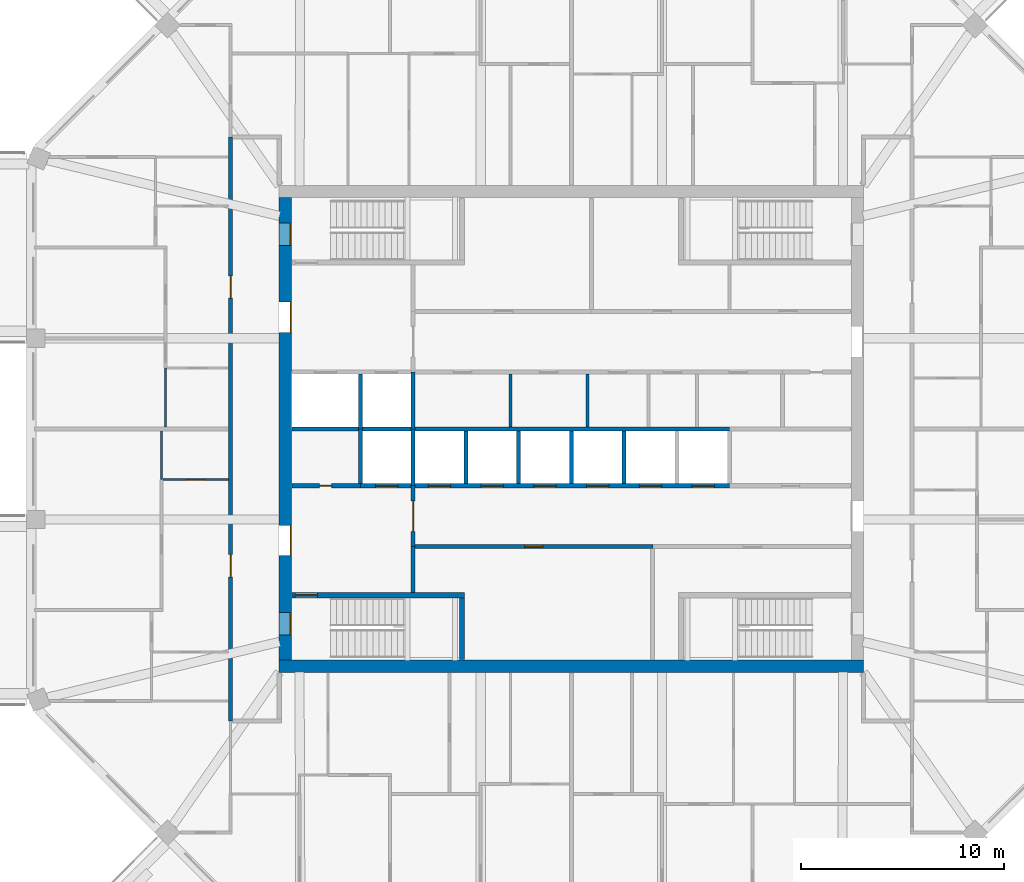
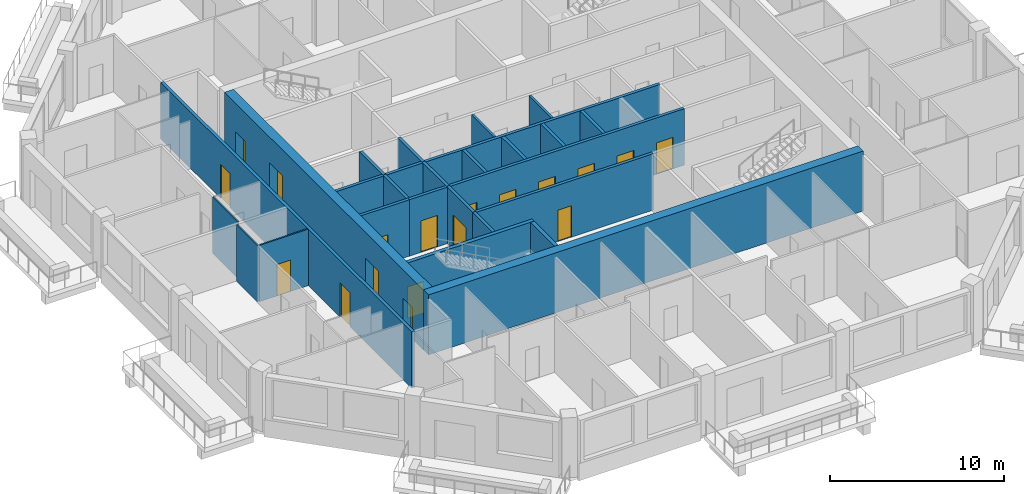
# One storey, part 4 of 12: 24 walls, 18 doors, 18 openings.
"""IFC4 building model written with IfcOpenShell, lengths in metres."""

from ifc_helpers import new_model, si_unit, direction, frame, frame_2d, origin, place, context, subcontext, project, spatial, rectangle, extrude, material, layer, layer_set, type_object, element, fill, save


model = new_model("IFC4")

# Units and contexts
model_context = context("Model", 3, precision=1e-05, world=origin(), true_north=direction((0.0, 1.0)))
body_context = subcontext(model_context, "Body", "Model", "MODEL_VIEW")
ifc_project = project(units=[si_unit("LENGTHUNIT", "METRE"), si_unit("AREAUNIT", "SQUARE_METRE"), si_unit("VOLUMEUNIT", "CUBIC_METRE"), si_unit("PLANEANGLEUNIT", "RADIAN"), si_unit("MASSUNIT", "GRAM", prefix="KILO")], contexts=[model_context])

# Site, building, storey
site_placement = place(None, origin())
site = spatial("IfcSite", under=ifc_project, at=site_placement, CompositionType="ELEMENT")
building_placement = place(site_placement, origin())
building = spatial("IfcBuilding", under=site, at=building_placement, Name="Msitu Wima Residences", CompositionType="ELEMENT")
storey_placement = place(building_placement, frame((0.0, 0.0, 276.89990234375)))
storey = spatial("IfcBuildingStorey", under=building, at=storey_placement, Name="L64", CompositionType="ELEMENT", Elevation=276.89990234375)

# Wall
ifc_material_1 = material(Name="Concrete C50/60", Category="concrete")
ifc_layer_1 = layer(ifc_material_1, 0.60009765625)
ifc_layer_set_1 = layer_set([ifc_layer_1], Name="Concrete C50/60")
wall_type_1 = type_object("IfcWallType", Name="Core wall CW600 C50/60", PredefinedType="SHEAR", material=ifc_layer_set_1)
wall_1_placement = place(storey_placement, frame((-14.39990234375, -11.699951171875, 0.0), z_axis=(0.0, 0.0, 1.0), x_axis=(1.0, 0.0, 0.0)))
element("IfcWall", 1, at=wall_1_placement, inside=storey, type_object=wall_type_1, Name="Core wall", PredefinedType="SHEAR", context=body_context, shape_type="SweptSolid", body=[
    extrude(rectangle(XDim=28.7998046875, YDim=0.60009765625, at=frame_2d((14.39990234375, 0.0))), origin(), (0.0, 0.0, 1.0), 4.2001953125),
])

# Wall, openings, doors
wall_2_placement = place(storey_placement, frame((-14.10009765625, -11.39990234375, 0.0), z_axis=(0.0, 0.0, 1.0), x_axis=(0.0, 1.0, 0.0)))
wall_2 = element("IfcWall", 2, at=wall_2_placement, inside=storey, type_object=wall_type_1, Name="Core wall", PredefinedType="SHEAR", context=body_context, shape_type="SweptSolid", body=[
    extrude(rectangle(XDim=22.7998046875, YDim=0.60009765625, at=frame_2d((11.39990234375, 0.0))), origin(), (0.0, 0.0, 1.0), 4.2001953125),
])
opening_1_placement = place(wall_2_placement, frame((20.449951171875, 0.0, 0.0)))
opening_1 = element("IfcOpeningElement", 3, at=opening_1_placement, cuts=wall_2, Name="Opening D63-64.086", PredefinedType="OPENING", context=body_context, shape_type="SweptSolid", body=[
    extrude(rectangle(XDim=1.10009765625, YDim=2.199951171875, at=frame_2d((0.550048828125, 1.10009765625))), frame((0.0, 0.31005859375, 0.0), z_axis=(0.0, -1.0, 0.0), x_axis=(1.0, 0.0, 0.0)), (0.0, 0.0, 1.0), 0.6201171875),
])
opening_2_placement = place(wall_2_placement, frame((1.25, 0.0, 0.0)))
opening_2 = element("IfcOpeningElement", 4, at=opening_2_placement, cuts=wall_2, Name="Opening D63-64.088", PredefinedType="OPENING", context=body_context, shape_type="SweptSolid", body=[
    extrude(rectangle(XDim=1.10009765625, YDim=2.199951171875, at=frame_2d((0.550048828125, 1.10009765625))), frame((0.0, 0.31005859375, 0.0), z_axis=(0.0, -1.0, 0.0), x_axis=(1.0, 0.0, 0.0)), (0.0, 0.0, 1.0), 0.6201171875),
])
opening_3_placement = place(wall_2_placement, frame((16.14990234375, 0.0, 0.0)))
opening_3 = element("IfcOpeningElement", 5, at=opening_3_placement, cuts=wall_2, Name="Opening D63-64.068", PredefinedType="OPENING", context=body_context, shape_type="SweptSolid", body=[
    extrude(rectangle(XDim=1.5, YDim=2.39990234375, at=frame_2d((0.75, 1.199951171875))), frame((0.0, 0.31005859375, 0.0), z_axis=(0.0, -1.0, 0.0), x_axis=(1.0, 0.0, 0.0)), (0.0, 0.0, 1.0), 0.6201171875),
])
opening_4_placement = place(wall_2_placement, frame((5.14990234375, 0.0, 0.0)))
opening_4 = element("IfcOpeningElement", 6, at=opening_4_placement, cuts=wall_2, Name="Opening D63-64.070", PredefinedType="OPENING", context=body_context, shape_type="SweptSolid", body=[
    extrude(rectangle(XDim=1.5, YDim=2.39990234375, at=frame_2d((0.75, 1.199951171875))), frame((0.0, 0.31005859375, 0.0), z_axis=(0.0, -1.0, 0.0), x_axis=(1.0, 0.0, 0.0)), (0.0, 0.0, 1.0), 0.6201171875),
])
ifc_material_2 = material(Name="Steel framed glazed door, fire resisting", Category="steel")
door_type_1 = type_object("IfcDoorType", Name="Lobby door D07 1500x2400", OperationType="DOUBLE_DOOR_SINGLE_SWING", PredefinedType="DOOR", material=ifc_material_2)
door_1_placement = place(opening_3_placement, origin())
door_1 = element("IfcDoor", 7, at=door_1_placement, inside=storey, type_object=door_type_1, Name="Lobby door", OperationType="DOUBLE_DOOR_SINGLE_SWING", OverallHeight=2.39990234375, OverallWidth=1.5, PredefinedType="DOOR", context=body_context, shape_type="SweptSolid", body=[
    extrude(rectangle(XDim=1.5, YDim=2.39990234375, at=frame_2d((0.75, 1.199951171875))), frame((0.0, -0.2451171875, 0.0), z_axis=(0.0, -1.0, 0.0), x_axis=(1.0, 0.0, 0.0)), (0.0, 0.0, 1.0), 0.050048828125),
])
fill(opening_3, door_1)
door_2_placement = place(opening_4_placement, origin())
door_2 = element("IfcDoor", 8, at=door_2_placement, inside=storey, type_object=door_type_1, Name="Lobby door", OperationType="DOUBLE_DOOR_SINGLE_SWING", OverallHeight=2.39990234375, OverallWidth=1.5, PredefinedType="DOOR", context=body_context, shape_type="SweptSolid", body=[
    extrude(rectangle(XDim=1.5, YDim=2.39990234375, at=frame_2d((0.75, 1.199951171875))), frame((0.0, -0.2451171875, 0.0), z_axis=(0.0, -1.0, 0.0), x_axis=(1.0, 0.0, 0.0)), (0.0, 0.0, 1.0), 0.050048828125),
])
fill(opening_4, door_2)
ifc_material_3 = material(Name="Steel door, fire resisting, panic bar", Category="steel")
door_type_2 = type_object("IfcDoorType", Name="Stair door D06 1100x2200", OperationType="SINGLE_SWING_LEFT", PredefinedType="DOOR", material=ifc_material_3)
door_3_placement = place(opening_1_placement, origin())
door_3 = element("IfcDoor", 9, at=door_3_placement, inside=storey, type_object=door_type_2, Name="Stair door", OperationType="SINGLE_SWING_RIGHT", OverallHeight=2.199951171875, OverallWidth=1.10009765625, PredefinedType="DOOR", context=body_context, shape_type="SweptSolid", body=[
    extrude(rectangle(XDim=1.10009765625, YDim=2.199951171875, at=frame_2d((0.550048828125, 1.10009765625))), frame((0.0, -0.2451171875, 0.0), z_axis=(0.0, -1.0, 0.0), x_axis=(1.0, 0.0, 0.0)), (0.0, 0.0, 1.0), 0.050048828125),
])
fill(opening_1, door_3)
door_4_placement = place(opening_2_placement, origin())
door_4 = element("IfcDoor", 10, at=door_4_placement, inside=storey, type_object=door_type_2, Name="Stair door", OperationType="SINGLE_SWING_LEFT", OverallHeight=2.199951171875, OverallWidth=1.10009765625, PredefinedType="DOOR", context=body_context, shape_type="SweptSolid", body=[
    extrude(rectangle(XDim=1.10009765625, YDim=2.199951171875, at=frame_2d((0.550048828125, 1.10009765625))), frame((0.0, -0.2451171875, 0.0), z_axis=(0.0, -1.0, 0.0), x_axis=(1.0, 0.0, 0.0)), (0.0, 0.0, 1.0), 0.050048828125),
])
fill(opening_2, door_4)

ifc_material_4 = material(Name="Plaster")
ifc_layer_2 = layer(ifc_material_4, 0.011962890625, Name="Plaster")
ifc_material_5 = material(Name="Concrete blockwork", Category="masonry")
ifc_layer_3 = layer(ifc_material_5, 0.176025390625, Name="Concrete blockwork")
ifc_layer_4 = layer(ifc_material_4, 0.011962890625, Name="Plaster")
ifc_layer_set_2 = layer_set([ifc_layer_2, ifc_layer_3, ifc_layer_4], Name="Concrete blockwork")
wall_type_2 = type_object("IfcWallType", Name="Corridor wall FW200", PredefinedType="PARTITIONING", material=ifc_layer_set_2)
wall_3_placement = place(storey_placement, frame((-16.800048828125, -14.39990234375, 0.0), z_axis=(0.0, 0.0, 1.0), x_axis=(0.0, 1.0, 0.0)))
wall_3 = element("IfcWall", 11, at=wall_3_placement, inside=storey, type_object=wall_type_2, Name="Corridor wall", PredefinedType="PARTITIONING", context=body_context, shape_type="SweptSolid", body=[
    extrude(rectangle(XDim=28.7998046875, YDim=0.199951171875, at=frame_2d((14.39990234375, 0.0))), origin(), (0.0, 0.0, 1.0), 3.9501953125),
])
opening_5_placement = place(wall_3_placement, frame((20.85009765625, 0.0, 0.0)))
opening_5 = element("IfcOpeningElement", 12, at=opening_5_placement, cuts=wall_3, Name="Opening D63-64.025", PredefinedType="OPENING", context=body_context, shape_type="SweptSolid", body=[
    extrude(rectangle(XDim=1.10009765625, YDim=2.39990234375, at=frame_2d((0.550048828125, 1.199951171875))), frame((0.0, 0.10986328125, 0.0), z_axis=(0.0, -1.0, 0.0), x_axis=(1.0, 0.0, 0.0)), (0.0, 0.0, 1.0), 0.219970703125),
])
opening_6_placement = place(wall_3_placement, frame((7.10009765625, 0.0, 0.0)))
opening_6 = element("IfcOpeningElement", 13, at=opening_6_placement, cuts=wall_3, Name="Opening D63-64.039", PredefinedType="OPENING", context=body_context, shape_type="SweptSolid", body=[
    extrude(rectangle(XDim=1.10009765625, YDim=2.39990234375, at=frame_2d((0.550048828125, 1.199951171875))), frame((0.0, 0.10986328125, 0.0), z_axis=(0.0, -1.0, 0.0), x_axis=(1.0, 0.0, 0.0)), (0.0, 0.0, 1.0), 0.219970703125),
])
ifc_material_6 = material(Name="Timber flush door, fire resisting, self-closing", Category="wood")
door_type_3 = type_object("IfcDoorType", Name="Flat entrance door D01 1100x2400", OperationType="SINGLE_SWING_LEFT", PredefinedType="DOOR", material=ifc_material_6)
door_5_placement = place(opening_5_placement, origin())
door_5 = element("IfcDoor", 14, at=door_5_placement, inside=storey, type_object=door_type_3, Name="Flat entrance door", OperationType="SINGLE_SWING_RIGHT", OverallHeight=2.39990234375, OverallWidth=1.10009765625, PredefinedType="DOOR", context=body_context, shape_type="SweptSolid", body=[
    extrude(rectangle(XDim=1.10009765625, YDim=2.39990234375, at=frame_2d((0.550048828125, 1.199951171875))), frame((0.0, 0.02490234375, 0.0), z_axis=(0.0, -1.0, 0.0), x_axis=(1.0, 0.0, 0.0)), (0.0, 0.0, 1.0), 0.050048828125),
])
fill(opening_5, door_5)
door_6_placement = place(opening_6_placement, origin())
door_6 = element("IfcDoor", 15, at=door_6_placement, inside=storey, type_object=door_type_3, Name="Flat entrance door", OperationType="SINGLE_SWING_LEFT", OverallHeight=2.39990234375, OverallWidth=1.10009765625, PredefinedType="DOOR", context=body_context, shape_type="SweptSolid", body=[
    extrude(rectangle(XDim=1.10009765625, YDim=2.39990234375, at=frame_2d((0.550048828125, 1.199951171875))), frame((0.0, 0.02490234375, 0.0), z_axis=(0.0, -1.0, 0.0), x_axis=(1.0, 0.0, 0.0)), (0.0, 0.0, 1.0), 0.050048828125),
])
fill(opening_6, door_6)

# Wall, opening, door
wall_4_placement = place(storey_placement, frame((-7.800048828125, -5.800048828125, 0.0), z_axis=(0.0, 0.0, 1.0), x_axis=(0.0, 1.0, 0.0)))
wall_4 = element("IfcWall", 16, at=wall_4_placement, inside=storey, type_object=wall_type_2, Name="Corridor wall", PredefinedType="PARTITIONING", context=body_context, shape_type="SweptSolid", body=[
    extrude(rectangle(XDim=3.0, YDim=0.199951171875, at=frame_2d((1.5, 0.0))), origin(), (0.0, 0.0, 1.0), 3.9501953125),
])
opening_7_placement = place(wall_4_placement, frame((0.75, 0.0, 0.0)))
opening_7 = element("IfcOpeningElement", 17, at=opening_7_placement, cuts=wall_4, Name="Opening D63-64.071", PredefinedType="OPENING", context=body_context, shape_type="SweptSolid", body=[
    extrude(rectangle(XDim=1.5, YDim=2.39990234375, at=frame_2d((0.75, 1.199951171875))), frame((0.0, 0.10986328125, 0.0), z_axis=(0.0, -1.0, 0.0), x_axis=(1.0, 0.0, 0.0)), (0.0, 0.0, 1.0), 0.219970703125),
])
door_7_placement = place(opening_7_placement, origin())
door_7 = element("IfcDoor", 18, at=door_7_placement, inside=storey, type_object=door_type_1, Name="Lobby door", OperationType="DOUBLE_DOOR_SINGLE_SWING", OverallHeight=2.39990234375, OverallWidth=1.5, PredefinedType="DOOR", context=body_context, shape_type="SweptSolid", body=[
    extrude(rectangle(XDim=1.5, YDim=2.39990234375, at=frame_2d((0.75, 1.199951171875))), frame((0.0, 0.02490234375, 0.0), z_axis=(0.0, -1.0, 0.0), x_axis=(1.0, 0.0, 0.0)), (0.0, 0.0, 1.0), 0.050048828125),
])
fill(opening_7, door_7)

# Walls
ifc_layer_5 = layer(ifc_material_4, 0.011962890625, Name="Plaster")
ifc_layer_6 = layer(ifc_material_5, 0.1259765625, Name="Concrete blockwork")
ifc_layer_7 = layer(ifc_material_4, 0.011962890625, Name="Plaster")
ifc_layer_set_3 = layer_set([ifc_layer_5, ifc_layer_6, ifc_layer_7], Name="Concrete blockwork")
wall_type_3 = type_object("IfcWallType", Name="Partition PW150", PredefinedType="PARTITIONING", material=ifc_layer_set_3)
for number, where, z_axis, x_axis, name in (
    (19, (-3.0, 0.10009765625, 0.0), (0.0, 0.0, 1.0), (0.0, 1.0, 0.0), "Partition"),
    (20, (0.800048828125, 0.10009765625, 0.0), (0.0, 0.0, 1.0), (0.0, 1.0, 0.0), "Partition"),
):
    element("IfcWall", number, at=place(storey_placement, frame(where, z_axis=z_axis, x_axis=x_axis)), inside=storey, type_object=wall_type_3, Name=name, PredefinedType="PARTITIONING", context=body_context, shape_type="SweptSolid", body=[
        extrude(rectangle(XDim=2.599853515625, YDim=0.14990234375, at=frame_2d((1.2998046875, 0.0))), origin(), (0.0, 0.0, 1.0), 3.9501953125),
    ])

# Wall, opening, door
ifc_layer_8 = layer(ifc_material_4, 0.011962890625, Name="Plaster")
ifc_material_7 = material(Name="Reinforced concrete blockwork", Category="masonry")
ifc_layer_9 = layer(ifc_material_7, 0.176025390625, Name="Reinforced concrete blockwork")
ifc_layer_10 = layer(ifc_material_4, 0.011962890625, Name="Plaster")
ifc_layer_set_4 = layer_set([ifc_layer_8, ifc_layer_9, ifc_layer_10], Name="Reinforced concrete blockwork")
wall_type_4 = type_object("IfcWallType", Name="Plant and riser wall PL200", PredefinedType="PARTITIONING", material=ifc_layer_set_4)
wall_5_placement = place(storey_placement, frame((-13.77001953125, -2.800048828125, 0.0), z_axis=(0.0, 0.0, 1.0), x_axis=(1.0, 0.0, 0.0)))
wall_5 = element("IfcWall", 21, at=wall_5_placement, inside=storey, type_object=wall_type_4, Name="Plant and riser wall", PredefinedType="PARTITIONING", context=body_context, shape_type="SweptSolid", body=[
    extrude(rectangle(XDim=3.3701171875, YDim=0.199951171875, at=frame_2d((1.68505859375, 0.0))), origin(), (0.0, 0.0, 1.0), 3.9501953125),
])
opening_8_placement = place(wall_5_placement, frame((1.35009765625, 0.0, 0.0)))
opening_8 = element("IfcOpeningElement", 22, at=opening_8_placement, cuts=wall_5, Name="Opening D63-64.085", PredefinedType="OPENING", context=body_context, shape_type="SweptSolid", body=[
    extrude(rectangle(XDim=0.60009765625, YDim=2.0, at=frame_2d((0.300048828125, 1.0))), frame((0.0, 0.10986328125, 0.0), z_axis=(0.0, -1.0, 0.0), x_axis=(1.0, 0.0, 0.0)), (0.0, 0.0, 1.0), 0.219970703125),
])
ifc_material_8 = material(Name="Steel access door, fire resisting", Category="steel")
door_type_4 = type_object("IfcDoorType", Name="Riser access door D08 600x2000", OperationType="SINGLE_SWING_LEFT", PredefinedType="DOOR", material=ifc_material_8)
door_8_placement = place(opening_8_placement, origin())
door_8 = element("IfcDoor", 23, at=door_8_placement, inside=storey, type_object=door_type_4, Name="Riser access door", OperationType="SINGLE_SWING_RIGHT", OverallHeight=2.0, OverallWidth=0.60009765625, PredefinedType="DOOR", context=body_context, shape_type="SweptSolid", body=[
    extrude(rectangle(XDim=0.60009765625, YDim=2.0, at=frame_2d((0.300048828125, 1.0))), frame((0.0, 0.02490234375, 0.0), z_axis=(0.0, -1.0, 0.0), x_axis=(1.0, 0.0, 0.0)), (0.0, 0.0, 1.0), 0.050048828125),
])
fill(opening_8, door_8)

# Wall
wall_6_placement = place(storey_placement, frame((-7.800048828125, -8.074951171875, 0.0), z_axis=(0.0, 0.0, 1.0), x_axis=(0.0, 1.0, 0.0)))
element("IfcWall", 24, at=wall_6_placement, inside=storey, type_object=wall_type_4, Name="Plant and riser wall", PredefinedType="PARTITIONING", context=body_context, shape_type="SweptSolid", body=[
    extrude(rectangle(XDim=2.27490234375, YDim=0.199951171875, at=frame_2d((1.137451171875, 0.0))), origin(), (0.0, 0.0, 1.0), 3.9501953125),
])

# Wall, opening, door
wall_7_placement = place(storey_placement, frame((-7.699951171875, -5.800048828125, 0.0), z_axis=(0.0, 0.0, 1.0), x_axis=(1.0, 0.0, 0.0)))
wall_7 = element("IfcWall", 25, at=wall_7_placement, inside=storey, type_object=wall_type_4, Name="Plant and riser wall", PredefinedType="PARTITIONING", context=body_context, shape_type="SweptSolid", body=[
    extrude(rectangle(XDim=11.719970703125, YDim=0.199951171875, at=frame_2d((5.85986328125, 0.0))), origin(), (0.0, 0.0, 1.0), 3.9501953125),
])
opening_9_placement = place(wall_7_placement, frame((5.39990234375, 0.0, 0.0)))
opening_9 = element("IfcOpeningElement", 26, at=opening_9_placement, cuts=wall_7, Name="Opening D63-64.075", PredefinedType="OPENING", context=body_context, shape_type="SweptSolid", body=[
    extrude(rectangle(XDim=0.89990234375, YDim=2.199951171875, at=frame_2d((0.449951171875, 1.10009765625))), frame((0.0, 0.10986328125, 0.0), z_axis=(0.0, -1.0, 0.0), x_axis=(1.0, 0.0, 0.0)), (0.0, 0.0, 1.0), 0.219970703125),
])
ifc_material_9 = material(Name="Timber flush door", Category="wood")
door_type_5 = type_object("IfcDoorType", Name="Service door D05 900x2200", OperationType="SINGLE_SWING_LEFT", PredefinedType="DOOR", material=ifc_material_9)
door_9_placement = place(opening_9_placement, origin())
door_9 = element("IfcDoor", 27, at=door_9_placement, inside=storey, type_object=door_type_5, Name="Service door", OperationType="SINGLE_SWING_RIGHT", OverallHeight=2.199951171875, OverallWidth=0.89990234375, PredefinedType="DOOR", context=body_context, shape_type="SweptSolid", body=[
    extrude(rectangle(XDim=0.89990234375, YDim=2.199951171875, at=frame_2d((0.449951171875, 1.10009765625))), frame((0.0, 0.02490234375, 0.0), z_axis=(0.0, -1.0, 0.0), x_axis=(1.0, 0.0, 0.0)), (0.0, 0.0, 1.0), 0.050048828125),
])
fill(opening_9, door_9)

# Walls
ifc_material_10 = material(Name="Fire-rated board")
ifc_layer_11 = layer(ifc_material_10, 0.02490234375, Name="Fire-rated board")
ifc_material_11 = material(Name="Light-gauge stud framing with mineral wool")
ifc_layer_12 = layer(ifc_material_11, 0.14990234375, Name="Light-gauge stud framing with mineral wool")
ifc_layer_13 = layer(ifc_material_10, 0.02490234375, Name="Fire-rated board")
ifc_layer_set_5 = layer_set([ifc_layer_11, ifc_layer_12, ifc_layer_13], Name="Light-gauge stud framing with mineral wool")
wall_type_5 = type_object("IfcWallType", Name="Shaft wall SH200", PredefinedType="PARTITIONING", material=ifc_layer_set_5)
wall_8_placement = place(storey_placement, frame((-13.77001953125, 0.0, 0.0), z_axis=(0.0, 0.0, 1.0), x_axis=(1.0, 0.0, 0.0)))
element("IfcWall", 28, at=wall_8_placement, inside=storey, type_object=wall_type_5, Name="Shaft wall", PredefinedType="PARTITIONING", context=body_context, shape_type="SweptSolid", body=[
    extrude(rectangle(XDim=21.570068359375, YDim=0.199951171875, at=frame_2d((10.78515625, 0.0))), origin(), (0.0, 0.0, 1.0), 3.9501953125),
])
wall_9_placement = place(storey_placement, frame((-10.39990234375, -2.699951171875, 0.0), z_axis=(0.0, 0.0, 1.0), x_axis=(0.0, 1.0, 0.0)))
element("IfcWall", 29, at=wall_9_placement, inside=storey, type_object=wall_type_5, Name="Shaft wall", PredefinedType="PARTITIONING", context=body_context, shape_type="SweptSolid", body=[
    extrude(rectangle(XDim=2.699951171875, YDim=0.199951171875, at=frame_2d((1.35009765625, 0.0))), origin(), (0.0, 0.0, 1.0), 3.9501953125),
])

# Wall, openings, doors
wall_10_placement = place(storey_placement, frame((-10.39990234375, -2.800048828125, 0.0), z_axis=(0.0, 0.0, 1.0), x_axis=(1.0, 0.0, 0.0)))
wall_10 = element("IfcWall", 30, at=wall_10_placement, inside=storey, type_object=wall_type_5, Name="Shaft wall", PredefinedType="PARTITIONING", context=body_context, shape_type="SweptSolid", body=[
    extrude(rectangle(XDim=18.199951171875, YDim=0.199951171875, at=frame_2d((9.10009765625, 0.0))), origin(), (0.0, 0.0, 1.0), 3.9501953125),
])
opening_10_placement = place(wall_10_placement, frame((0.75, 0.0, 0.0)))
opening_10 = element("IfcOpeningElement", 31, at=opening_10_placement, cuts=wall_10, Name="Opening LD", PredefinedType="OPENING", context=body_context, shape_type="SweptSolid", body=[
    extrude(rectangle(XDim=1.10009765625, YDim=2.199951171875, at=frame_2d((0.550048828125, 1.10009765625))), frame((0.0, 0.10986328125, 0.0), z_axis=(0.0, -1.0, 0.0), x_axis=(1.0, 0.0, 0.0)), (0.0, 0.0, 1.0), 0.219970703125),
])
opening_11_placement = place(wall_10_placement, frame((3.35009765625, 0.0, 0.0)))
opening_11 = element("IfcOpeningElement", 32, at=opening_11_placement, cuts=wall_10, Name="Opening LD", PredefinedType="OPENING", context=body_context, shape_type="SweptSolid", body=[
    extrude(rectangle(XDim=1.10009765625, YDim=2.199951171875, at=frame_2d((0.550048828125, 1.10009765625))), frame((0.0, 0.10986328125, 0.0), z_axis=(0.0, -1.0, 0.0), x_axis=(1.0, 0.0, 0.0)), (0.0, 0.0, 1.0), 0.219970703125),
])
opening_12_placement = place(wall_10_placement, frame((5.949951171875, 0.0, 0.0)))
opening_12 = element("IfcOpeningElement", 33, at=opening_12_placement, cuts=wall_10, Name="Opening LD", PredefinedType="OPENING", context=body_context, shape_type="SweptSolid", body=[
    extrude(rectangle(XDim=1.10009765625, YDim=2.199951171875, at=frame_2d((0.550048828125, 1.10009765625))), frame((0.0, 0.10986328125, 0.0), z_axis=(0.0, -1.0, 0.0), x_axis=(1.0, 0.0, 0.0)), (0.0, 0.0, 1.0), 0.219970703125),
])
opening_13_placement = place(wall_10_placement, frame((8.550048828125, 0.0, 0.0)))
opening_13 = element("IfcOpeningElement", 34, at=opening_13_placement, cuts=wall_10, Name="Opening LD", PredefinedType="OPENING", context=body_context, shape_type="SweptSolid", body=[
    extrude(rectangle(XDim=1.10009765625, YDim=2.199951171875, at=frame_2d((0.550048828125, 1.10009765625))), frame((0.0, 0.10986328125, 0.0), z_axis=(0.0, -1.0, 0.0), x_axis=(1.0, 0.0, 0.0)), (0.0, 0.0, 1.0), 0.219970703125),
])
opening_14_placement = place(wall_10_placement, frame((11.14990234375, 0.0, 0.0)))
opening_14 = element("IfcOpeningElement", 35, at=opening_14_placement, cuts=wall_10, Name="Opening LD", PredefinedType="OPENING", context=body_context, shape_type="SweptSolid", body=[
    extrude(rectangle(XDim=1.10009765625, YDim=2.199951171875, at=frame_2d((0.550048828125, 1.10009765625))), frame((0.0, 0.10986328125, 0.0), z_axis=(0.0, -1.0, 0.0), x_axis=(1.0, 0.0, 0.0)), (0.0, 0.0, 1.0), 0.219970703125),
])
opening_15_placement = place(wall_10_placement, frame((13.75, 0.0, 0.0)))
opening_15 = element("IfcOpeningElement", 36, at=opening_15_placement, cuts=wall_10, Name="Opening LD", PredefinedType="OPENING", context=body_context, shape_type="SweptSolid", body=[
    extrude(rectangle(XDim=1.10009765625, YDim=2.199951171875, at=frame_2d((0.550048828125, 1.10009765625))), frame((0.0, 0.10986328125, 0.0), z_axis=(0.0, -1.0, 0.0), x_axis=(1.0, 0.0, 0.0)), (0.0, 0.0, 1.0), 0.219970703125),
])
opening_16_placement = place(wall_10_placement, frame((16.35009765625, 0.0, 0.0)))
opening_16 = element("IfcOpeningElement", 37, at=opening_16_placement, cuts=wall_10, Name="Opening LD", PredefinedType="OPENING", context=body_context, shape_type="SweptSolid", body=[
    extrude(rectangle(XDim=1.10009765625, YDim=2.199951171875, at=frame_2d((0.550048828125, 1.10009765625))), frame((0.0, 0.10986328125, 0.0), z_axis=(0.0, -1.0, 0.0), x_axis=(1.0, 0.0, 0.0)), (0.0, 0.0, 1.0), 0.219970703125),
])
ifc_material_12 = material(Name="Stainless steel centre-opening landing door, rated", Category="steel")
door_type_6 = type_object("IfcDoorType", Name="Lift landing door LD 1100x2200", OperationType="DOUBLE_DOOR_SLIDING", PredefinedType="DOOR", material=ifc_material_12)
door_10_placement = place(opening_10_placement, origin())
door_10 = element("IfcDoor", 38, at=door_10_placement, inside=storey, type_object=door_type_6, Name="Lift landing door LD3", OperationType="DOUBLE_DOOR_SLIDING", OverallHeight=2.199951171875, OverallWidth=1.10009765625, PredefinedType="DOOR", context=body_context, shape_type="SweptSolid", body=[
    extrude(rectangle(XDim=1.10009765625, YDim=2.199951171875, at=frame_2d((0.550048828125, 1.10009765625))), frame((0.0, 0.02490234375, 0.0), z_axis=(0.0, -1.0, 0.0), x_axis=(1.0, 0.0, 0.0)), (0.0, 0.0, 1.0), 0.050048828125),
])
fill(opening_10, door_10)
door_11_placement = place(opening_11_placement, origin())
door_11 = element("IfcDoor", 39, at=door_11_placement, inside=storey, type_object=door_type_6, Name="Lift landing door LD5", OperationType="DOUBLE_DOOR_SLIDING", OverallHeight=2.199951171875, OverallWidth=1.10009765625, PredefinedType="DOOR", context=body_context, shape_type="SweptSolid", body=[
    extrude(rectangle(XDim=1.10009765625, YDim=2.199951171875, at=frame_2d((0.550048828125, 1.10009765625))), frame((0.0, 0.02490234375, 0.0), z_axis=(0.0, -1.0, 0.0), x_axis=(1.0, 0.0, 0.0)), (0.0, 0.0, 1.0), 0.050048828125),
])
fill(opening_11, door_11)
door_12_placement = place(opening_12_placement, origin())
door_12 = element("IfcDoor", 40, at=door_12_placement, inside=storey, type_object=door_type_6, Name="Lift landing door LD7", OperationType="DOUBLE_DOOR_SLIDING", OverallHeight=2.199951171875, OverallWidth=1.10009765625, PredefinedType="DOOR", context=body_context, shape_type="SweptSolid", body=[
    extrude(rectangle(XDim=1.10009765625, YDim=2.199951171875, at=frame_2d((0.550048828125, 1.10009765625))), frame((0.0, 0.02490234375, 0.0), z_axis=(0.0, -1.0, 0.0), x_axis=(1.0, 0.0, 0.0)), (0.0, 0.0, 1.0), 0.050048828125),
])
fill(opening_12, door_12)
door_13_placement = place(opening_13_placement, origin())
door_13 = element("IfcDoor", 41, at=door_13_placement, inside=storey, type_object=door_type_6, Name="Lift landing door LD9", OperationType="DOUBLE_DOOR_SLIDING", OverallHeight=2.199951171875, OverallWidth=1.10009765625, PredefinedType="DOOR", context=body_context, shape_type="SweptSolid", body=[
    extrude(rectangle(XDim=1.10009765625, YDim=2.199951171875, at=frame_2d((0.550048828125, 1.10009765625))), frame((0.0, 0.02490234375, 0.0), z_axis=(0.0, -1.0, 0.0), x_axis=(1.0, 0.0, 0.0)), (0.0, 0.0, 1.0), 0.050048828125),
])
fill(opening_13, door_13)
door_14_placement = place(opening_14_placement, origin())
door_14 = element("IfcDoor", 42, at=door_14_placement, inside=storey, type_object=door_type_6, Name="Lift landing door LD11", OperationType="DOUBLE_DOOR_SLIDING", OverallHeight=2.199951171875, OverallWidth=1.10009765625, PredefinedType="DOOR", context=body_context, shape_type="SweptSolid", body=[
    extrude(rectangle(XDim=1.10009765625, YDim=2.199951171875, at=frame_2d((0.550048828125, 1.10009765625))), frame((0.0, 0.02490234375, 0.0), z_axis=(0.0, -1.0, 0.0), x_axis=(1.0, 0.0, 0.0)), (0.0, 0.0, 1.0), 0.050048828125),
])
fill(opening_14, door_14)
door_15_placement = place(opening_15_placement, origin())
door_15 = element("IfcDoor", 43, at=door_15_placement, inside=storey, type_object=door_type_6, Name="Lift landing door LD13", OperationType="DOUBLE_DOOR_SLIDING", OverallHeight=2.199951171875, OverallWidth=1.10009765625, PredefinedType="DOOR", context=body_context, shape_type="SweptSolid", body=[
    extrude(rectangle(XDim=1.10009765625, YDim=2.199951171875, at=frame_2d((0.550048828125, 1.10009765625))), frame((0.0, 0.02490234375, 0.0), z_axis=(0.0, -1.0, 0.0), x_axis=(1.0, 0.0, 0.0)), (0.0, 0.0, 1.0), 0.050048828125),
])
fill(opening_15, door_15)
door_16_placement = place(opening_16_placement, origin())
door_16 = element("IfcDoor", 44, at=door_16_placement, inside=storey, type_object=door_type_6, Name="Lift landing door LD15", OperationType="DOUBLE_DOOR_SLIDING", OverallHeight=2.199951171875, OverallWidth=1.10009765625, PredefinedType="DOOR", context=body_context, shape_type="SweptSolid", body=[
    extrude(rectangle(XDim=1.10009765625, YDim=2.199951171875, at=frame_2d((0.550048828125, 1.10009765625))), frame((0.0, 0.02490234375, 0.0), z_axis=(0.0, -1.0, 0.0), x_axis=(1.0, 0.0, 0.0)), (0.0, 0.0, 1.0), 0.050048828125),
])
fill(opening_16, door_16)

# Walls
wall_11_placement = place(storey_placement, frame((-10.39990234375, 0.0, 0.0), z_axis=(0.0, 0.0, 1.0), x_axis=(0.0, 1.0, 0.0)))
element("IfcWall", 45, at=wall_11_placement, inside=storey, type_object=wall_type_5, Name="Shaft wall", PredefinedType="PARTITIONING", context=body_context, shape_type="SweptSolid", body=[
    extrude(rectangle(XDim=2.699951171875, YDim=0.199951171875, at=frame_2d((1.35009765625, 0.0))), origin(), (0.0, 0.0, 1.0), 3.9501953125),
])
for number, where, z_axis, x_axis, name in (
    (46, (-7.800048828125, -2.800048828125, 0.0), (0.0, 0.0, 1.0), (0.0, 1.0, 0.0), "Shaft wall"),
    (47, (-7.800048828125, 0.0, 0.0), (0.0, 0.0, 1.0), (0.0, 1.0, 0.0), "Shaft wall"),
):
    element("IfcWall", number, at=place(storey_placement, frame(where, z_axis=z_axis, x_axis=x_axis)), inside=storey, type_object=wall_type_5, Name=name, PredefinedType="PARTITIONING", context=body_context, shape_type="SweptSolid", body=[
        extrude(rectangle(XDim=2.800048828125, YDim=0.199951171875, at=frame_2d((1.39990234375, 0.0))), origin(), (0.0, 0.0, 1.0), 3.9501953125),
    ])
for number, where, z_axis, x_axis, name in (
    (48, (-5.199951171875, -2.699951171875, 0.0), (0.0, 0.0, 1.0), (0.0, 1.0, 0.0), "Shaft wall"),
    (49, (-2.60009765625, -2.699951171875, 0.0), (0.0, 0.0, 1.0), (0.0, 1.0, 0.0), "Shaft wall"),
    (50, (0.0, -2.699951171875, 0.0), (0.0, 0.0, 1.0), (0.0, 1.0, 0.0), "Shaft wall"),
    (51, (2.60009765625, -2.699951171875, 0.0), (0.0, 0.0, 1.0), (0.0, 1.0, 0.0), "Shaft wall"),
):
    element("IfcWall", number, at=place(storey_placement, frame(where, z_axis=z_axis, x_axis=x_axis)), inside=storey, type_object=wall_type_5, Name=name, PredefinedType="PARTITIONING", context=body_context, shape_type="SweptSolid", body=[
        extrude(rectangle(XDim=2.599853515625, YDim=0.199951171875, at=frame_2d((1.2998046875, 0.0))), origin(), (0.0, 0.0, 1.0), 3.9501953125),
    ])

# Wall, opening, door
ifc_layer_14 = layer(ifc_material_1, 0.25)
ifc_layer_set_6 = layer_set([ifc_layer_14], Name="Concrete C50/60")
wall_type_6 = type_object("IfcWallType", Name="Stair enclosure wall SW250", PredefinedType="SHEAR", material=ifc_layer_set_6)
wall_12_placement = place(storey_placement, frame((-13.77001953125, -8.199951171875, 0.0), z_axis=(0.0, 0.0, 1.0), x_axis=(1.0, 0.0, 0.0)))
wall_12 = element("IfcWall", 52, at=wall_12_placement, inside=storey, type_object=wall_type_6, Name="Stair enclosure wall", PredefinedType="SHEAR", context=body_context, shape_type="SweptSolid", body=[
    extrude(rectangle(XDim=8.4951171875, YDim=0.25, at=frame_2d((4.24755859375, 0.0))), origin(), (0.0, 0.0, 1.0), 3.9501953125),
])
opening_17_placement = place(wall_12_placement, frame((0.14990234375, 0.0, 0.0)))
opening_17 = element("IfcOpeningElement", 53, at=opening_17_placement, cuts=wall_12, Name="Opening D63-64.089", PredefinedType="OPENING", context=body_context, shape_type="SweptSolid", body=[
    extrude(rectangle(XDim=1.10009765625, YDim=2.199951171875, at=frame_2d((0.550048828125, 1.10009765625))), frame((0.0, 0.135009765625, 0.0), z_axis=(0.0, -1.0, 0.0), x_axis=(1.0, 0.0, 0.0)), (0.0, 0.0, 1.0), 0.27001953125),
])
door_17_placement = place(opening_17_placement, origin())
door_17 = element("IfcDoor", 54, at=door_17_placement, inside=storey, type_object=door_type_2, Name="Stair door", OperationType="SINGLE_SWING_RIGHT", OverallHeight=2.199951171875, OverallWidth=1.10009765625, PredefinedType="DOOR", context=body_context, shape_type="SweptSolid", body=[
    extrude(rectangle(XDim=1.10009765625, YDim=2.199951171875, at=frame_2d((0.550048828125, 1.10009765625))), frame((0.0, 0.02490234375, 0.0), z_axis=(0.0, -1.0, 0.0), x_axis=(1.0, 0.0, 0.0)), (0.0, 0.0, 1.0), 0.050048828125),
])
fill(opening_17, door_17)

# Walls
wall_13_placement = place(storey_placement, frame((-5.39990234375, -11.3701171875, 0.0), z_axis=(0.0, 0.0, 1.0), x_axis=(0.0, 1.0, 0.0)))
element("IfcWall", 55, at=wall_13_placement, inside=storey, type_object=wall_type_6, Name="Stair enclosure wall", PredefinedType="SHEAR", context=body_context, shape_type="SweptSolid", body=[
    extrude(rectangle(XDim=3.045166015625, YDim=0.25, at=frame_2d((1.5224609375, 0.0))), origin(), (0.0, 0.0, 1.0), 3.9501953125),
])
ifc_material_13 = material(Name="Ceramic tiles")
ifc_layer_15 = layer(ifc_material_13, 0.008056640625, Name="Ceramic tiles")
ifc_material_14 = material(Name="Moisture-resistant board")
ifc_layer_16 = layer(ifc_material_14, 0.012451171875, Name="Moisture-resistant board")
ifc_layer_17 = layer(ifc_material_11, 0.06689453125, Name="Light-gauge stud framing with mineral wool")
ifc_layer_18 = layer(ifc_material_14, 0.012451171875, Name="Moisture-resistant board")
ifc_layer_set_7 = layer_set([ifc_layer_15, ifc_layer_16, ifc_layer_17, ifc_layer_18], Name="Light-gauge stud framing with mineral wool")
wall_type_7 = type_object("IfcWallType", Name="Wet wall PW100", PredefinedType="PARTITIONING", material=ifc_layer_set_7)
wall_14_placement = place(storey_placement, frame((-20.199951171875, -2.5, 0.0), z_axis=(0.0, 0.0, 1.0), x_axis=(0.0, 1.0, 0.0)))
element("IfcWall", 56, at=wall_14_placement, inside=storey, type_object=wall_type_7, Name="Wet wall", PredefinedType="PARTITIONING", context=body_context, shape_type="SweptSolid", body=[
    extrude(rectangle(XDim=2.39990234375, YDim=0.10009765625, at=frame_2d((1.199951171875, 0.0))), origin(), (0.0, 0.0, 1.0), 3.9501953125),
])

# Wall, opening, door
wall_15_placement = place(storey_placement, frame((-20.125, -2.5, 0.0), z_axis=(0.0, 0.0, 1.0), x_axis=(1.0, 0.0, 0.0)))
wall_15 = element("IfcWall", 57, at=wall_15_placement, inside=storey, type_object=wall_type_7, Name="Wet wall", PredefinedType="PARTITIONING", context=body_context, shape_type="SweptSolid", body=[
    extrude(rectangle(XDim=3.22509765625, YDim=0.10009765625, at=frame_2d((1.612548828125, 0.0))), origin(), (0.0, 0.0, 1.0), 3.9501953125),
])
opening_18_placement = place(wall_15_placement, frame((1.14990234375, 0.0, 0.0)))
opening_18 = element("IfcOpeningElement", 58, at=opening_18_placement, cuts=wall_15, Name="Opening D63-64.040", PredefinedType="OPENING", context=body_context, shape_type="SweptSolid", body=[
    extrude(rectangle(XDim=0.89990234375, YDim=2.199951171875, at=frame_2d((0.449951171875, 1.10009765625))), frame((0.0, 0.06005859375, 0.0), z_axis=(0.0, -1.0, 0.0), x_axis=(1.0, 0.0, 0.0)), (0.0, 0.0, 1.0), 0.1201171875),
])
ifc_material_15 = material(Name="Timber flush door, moisture resistant", Category="wood")
door_type_7 = type_object("IfcDoorType", Name="Bathroom door D03 900x2200", OperationType="SINGLE_SWING_LEFT", PredefinedType="DOOR", material=ifc_material_15)
door_18_placement = place(opening_18_placement, origin())
door_18 = element("IfcDoor", 59, at=door_18_placement, inside=storey, type_object=door_type_7, Name="Bathroom door", OperationType="SINGLE_SWING_LEFT", OverallHeight=2.199951171875, OverallWidth=0.89990234375, PredefinedType="DOOR", context=body_context, shape_type="SweptSolid", body=[
    extrude(rectangle(XDim=0.89990234375, YDim=2.199951171875, at=frame_2d((0.449951171875, 1.10009765625))), frame((0.0, 0.02490234375, 0.0), z_axis=(0.0, -1.0, 0.0), x_axis=(1.0, 0.0, 0.0)), (0.0, 0.0, 1.0), 0.050048828125),
])
fill(opening_18, door_18)

# Wall
wall_16_placement = place(storey_placement, frame((-20.0, 0.10009765625, 0.0), z_axis=(0.0, 0.0, 1.0), x_axis=(0.0, 1.0, 0.0)))
element("IfcWall", 60, at=wall_16_placement, inside=storey, type_object=wall_type_7, Name="Wet wall", PredefinedType="PARTITIONING", context=body_context, shape_type="SweptSolid", body=[
    extrude(rectangle(XDim=2.89990234375, YDim=0.10009765625, at=frame_2d((1.449951171875, 0.0))), origin(), (0.0, 0.0, 1.0), 3.9501953125),
])

save(model, "model.ifc")
